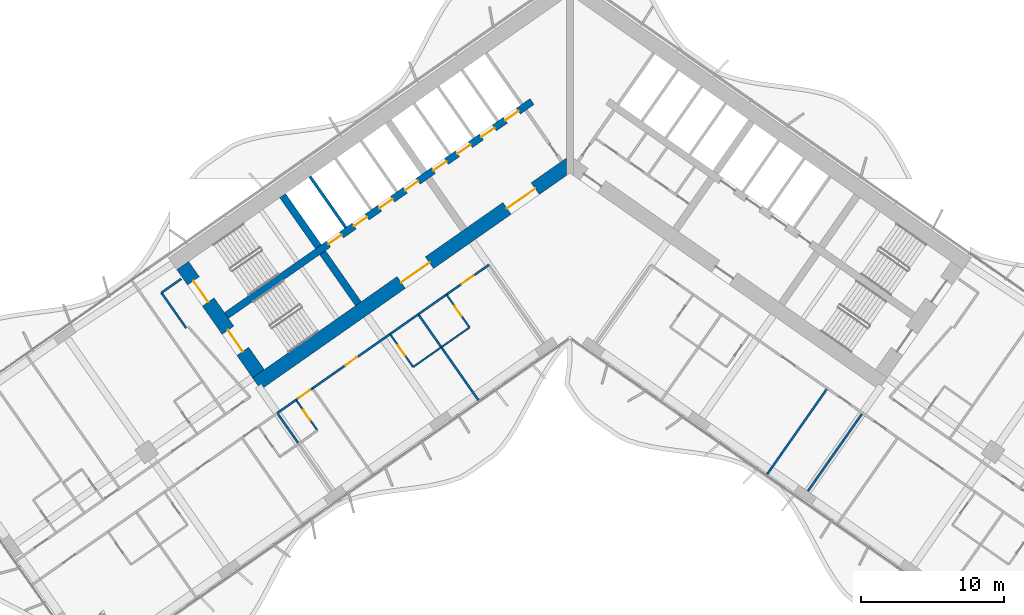
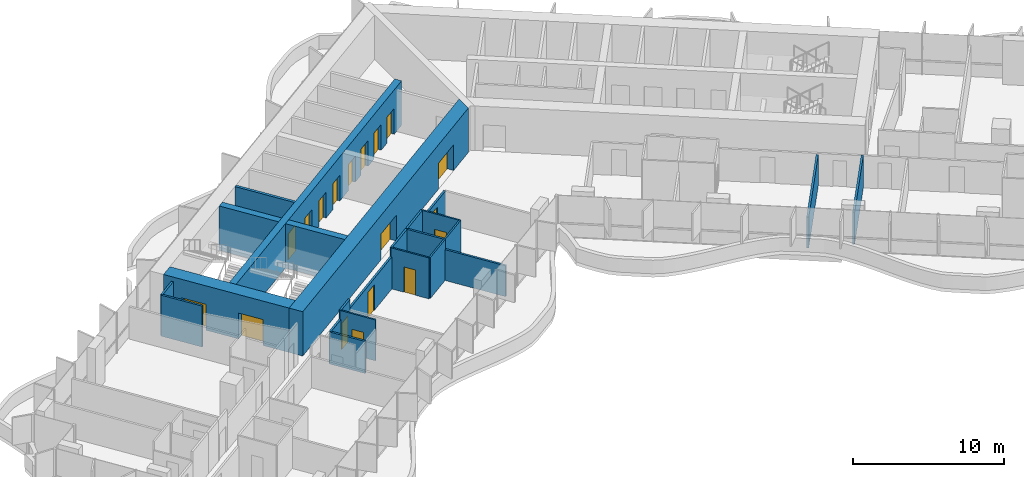
# One storey, part 13 of 23: 24 walls, 18 doors, 18 openings.
"""IFC4 building model written with IfcOpenShell, lengths in metres."""

from ifc_helpers import new_model, si_unit, direction, frame, frame_2d, origin, place, context, subcontext, project, spatial, polyline, rectangle, outline, extrude, material, layer, layer_set, type_object, element, fill, save


model = new_model("IFC4")

# Units and contexts
model_context = context("Model", 3, precision=1e-05, world=origin(), true_north=direction((0.0, 1.0)))
body_context = subcontext(model_context, "Body", "Model", "MODEL_VIEW")
ifc_project = project(units=[si_unit("LENGTHUNIT", "METRE"), si_unit("AREAUNIT", "SQUARE_METRE"), si_unit("VOLUMEUNIT", "CUBIC_METRE"), si_unit("PLANEANGLEUNIT", "RADIAN"), si_unit("MASSUNIT", "GRAM", prefix="KILO")], contexts=[model_context])

# Site, building, storey
site_placement = place(None, origin())
site = spatial("IfcSite", under=ifc_project, at=site_placement, CompositionType="ELEMENT")
building_placement = place(site_placement, origin())
building = spatial("IfcBuilding", under=site, at=building_placement, Name="Tel Ilan Convention Tower", CompositionType="ELEMENT")
storey_placement = place(building_placement, frame((0.0, 0.0, 86.89990234375)))
storey = spatial("IfcBuildingStorey", under=building, at=storey_placement, Name="L17", CompositionType="ELEMENT", Elevation=86.89990234375)

# Wall, openings, doors
ifc_material_1 = material(Name="Concrete C60/75", Category="concrete")
ifc_layer_1 = layer(ifc_material_1, 1.0)
ifc_layer_set_1 = layer_set([ifc_layer_1], Name="Core Shear Wall 1000 mm C60/75")
wall_type_1 = type_object("IfcWallType", Name="Core Shear Wall 1000 mm C60/75", PredefinedType="SHEAR", material=ifc_layer_set_1)
wall_1_placement = place(storey_placement, frame((0.036865234375, -0.584716796875, 0.0), z_axis=(0.0, 0.0, 1.0), x_axis=(-0.819157152511, -0.573569140985, 0.0)))
wall_1 = element("IfcWall", 1, at=wall_1_placement, inside=storey, type_object=wall_type_1, Name="L17 core wall W-front", PredefinedType="SHEAR", context=body_context, shape_type="SweptSolid", body=[
    extrude(outline(polyline([(26.69482421875, 0.500244140625), (0.7001953125, 0.499755859375), (0.0, -0.5), (26.69482421875, -0.499755859375), (26.69482421875, 0.500244140625)])), origin(), (0.0, 0.0, 1.0), 3.60009765625),
])
opening_1_placement = place(wall_1_placement, frame((2.994873046875, 0.0, 0.0)))
opening_1 = element("IfcOpeningElement", 2, at=opening_1_placement, cuts=wall_1, Name="Opening CD1505", PredefinedType="OPENING", context=body_context, shape_type="SweptSolid", body=[
    extrude(rectangle(XDim=2.39990234375, YDim=2.10009765625, at=frame_2d((1.199951171875, 1.050048828125))), frame((0.0, 0.510009765625, 0.0), z_axis=(0.0, -1.0, 0.0), x_axis=(1.0, 0.0, 0.0)), (0.0, 0.0, 1.0), 1.02001953125),
])
opening_2_placement = place(wall_1_placement, frame((11.994873046875, 0.0, 0.0)))
opening_2 = element("IfcOpeningElement", 3, at=opening_2_placement, cuts=wall_1, Name="Opening CD1506", PredefinedType="OPENING", context=body_context, shape_type="SweptSolid", body=[
    extrude(rectangle(XDim=2.39990234375, YDim=2.10009765625, at=frame_2d((1.199951171875, 1.050048828125))), frame((0.0, 0.510009765625, 0.0), z_axis=(0.0, -1.0, 0.0), x_axis=(1.0, 0.0, 0.0)), (0.0, 0.0, 1.0), 1.02001953125),
])
ifc_material_2 = material(Name="Glazed Aluminium Door Leaf", Category="aluminium")
door_type_1 = type_object("IfcDoorType", Name="Lobby Opening Door 2400 x 2100 FD60S", OperationType="NOTDEFINED", PredefinedType="DOOR", material=ifc_material_2)
door_1_placement = place(opening_1_placement, origin())
door_1 = element("IfcDoor", 4, at=door_1_placement, inside=storey, type_object=door_type_1, Name="Lift Lobby LR1-LR4 opening", OperationType="DOUBLE_DOOR_SINGLE_SWING", OverallHeight=2.10009765625, OverallWidth=2.39990234375, PredefinedType="DOOR", context=body_context, shape_type="SweptSolid", body=[
    extrude(rectangle(XDim=2.39990234375, YDim=2.10009765625, at=frame_2d((1.199951171875, 1.050048828125))), frame((0.0, 0.02490234375, 0.0), z_axis=(0.0, -1.0, 0.0), x_axis=(1.0, 0.0, 0.0)), (0.0, 0.0, 1.0), 0.050048828125),
])
fill(opening_1, door_1)
door_2_placement = place(opening_2_placement, origin())
door_2 = element("IfcDoor", 5, at=door_2_placement, inside=storey, type_object=door_type_1, Name="Lift Lobby LR5-LR8 opening", OperationType="DOUBLE_DOOR_SINGLE_SWING", OverallHeight=2.10009765625, OverallWidth=2.39990234375, PredefinedType="DOOR", context=body_context, shape_type="SweptSolid", body=[
    extrude(rectangle(XDim=2.39990234375, YDim=2.10009765625, at=frame_2d((1.199951171875, 1.050048828125))), frame((0.0, 0.02490234375, 0.0), z_axis=(0.0, -1.0, 0.0), x_axis=(1.0, 0.0, 0.0)), (0.0, 0.0, 1.0), 0.050048828125),
])
fill(opening_2, door_2)

wall_2_placement = place(storey_placement, frame((-21.70751953125, -15.19970703125, 0.0), z_axis=(0.0, 0.0, 1.0), x_axis=(-0.573576324356, 0.819152122709, 0.0)))
wall_2 = element("IfcWall", 6, at=wall_2_placement, inside=storey, type_object=wall_type_1, Name="L17 core wall W-end", PredefinedType="SHEAR", context=body_context, shape_type="SweptSolid", body=[
    extrude(outline(polyline([(0.0, 0.5), (0.0, -0.5), (9.199951171875, -0.5), (9.199951171875, 0.5), (0.0, 0.5)])), origin(), (0.0, 0.0, 1.0), 3.60009765625),
])
opening_3_placement = place(wall_2_placement, frame((6.10009765625, 0.0, 0.0)))
opening_3 = element("IfcOpeningElement", 7, at=opening_3_placement, cuts=wall_2, Name="Opening SD1501", PredefinedType="OPENING", context=body_context, shape_type="SweptSolid", body=[
    extrude(rectangle(XDim=1.800048828125, YDim=2.10009765625, at=frame_2d((0.89990234375, 1.050048828125))), frame((0.0, 0.510009765625, 0.0), z_axis=(0.0, -1.0, 0.0), x_axis=(1.0, 0.0, 0.0)), (0.0, 0.0, 1.0), 1.02001953125),
])
opening_4_placement = place(wall_2_placement, frame((1.89990234375, 0.0, 0.0)))
opening_4 = element("IfcOpeningElement", 8, at=opening_4_placement, cuts=wall_2, Name="Opening SD1502", PredefinedType="OPENING", context=body_context, shape_type="SweptSolid", body=[
    extrude(rectangle(XDim=1.800048828125, YDim=2.10009765625, at=frame_2d((0.89990234375, 1.050048828125))), frame((0.0, 0.510009765625, 0.0), z_axis=(0.0, -1.0, 0.0), x_axis=(1.0, 0.0, 0.0)), (0.0, 0.0, 1.0), 1.02001953125),
])
ifc_material_3 = material(Name="Galvanised Steel Door Leaf", Category="steel")
door_type_2 = type_object("IfcDoorType", Name="Stair Fire Door 1800 x 2100 FD60S", OperationType="NOTDEFINED", PredefinedType="DOOR", material=ifc_material_3)
door_3_placement = place(opening_3_placement, origin())
door_3 = element("IfcDoor", 9, at=door_3_placement, inside=storey, type_object=door_type_2, Name="Stair S1 door", OperationType="DOUBLE_DOOR_SINGLE_SWING", OverallHeight=2.10009765625, OverallWidth=1.800048828125, PredefinedType="DOOR", context=body_context, shape_type="SweptSolid", body=[
    extrude(rectangle(XDim=1.800048828125, YDim=2.10009765625, at=frame_2d((0.89990234375, 1.050048828125))), frame((0.0, 0.02490234375, 0.0), z_axis=(0.0, -1.0, 0.0), x_axis=(1.0, 0.0, 0.0)), (0.0, 0.0, 1.0), 0.050048828125),
])
fill(opening_3, door_3)
door_4_placement = place(opening_4_placement, origin())
door_4 = element("IfcDoor", 10, at=door_4_placement, inside=storey, type_object=door_type_2, Name="Stair S2 door", OperationType="DOUBLE_DOOR_SINGLE_SWING", OverallHeight=2.10009765625, OverallWidth=1.800048828125, PredefinedType="DOOR", context=body_context, shape_type="SweptSolid", body=[
    extrude(rectangle(XDim=1.800048828125, YDim=2.10009765625, at=frame_2d((0.89990234375, 1.050048828125))), frame((0.0, 0.02490234375, 0.0), z_axis=(0.0, -1.0, 0.0), x_axis=(1.0, 0.0, 0.0)), (0.0, 0.0, 1.0), 0.050048828125),
])
fill(opening_4, door_4)

# Walls
ifc_material_4 = material(Name="Concrete C60/75", Category="concrete")
ifc_layer_2 = layer(ifc_material_4, 0.5)
ifc_layer_set_2 = layer_set([ifc_layer_2], Name="Core Shear Wall 500 mm C60/75")
wall_type_2 = type_object("IfcWallType", Name="Core Shear Wall 500 mm C60/75", PredefinedType="SHEAR", material=ifc_layer_set_2)
wall_3_placement = place(storey_placement, frame((-14.74462890625, -10.324462890625, 0.0), z_axis=(0.0, 0.0, 1.0), x_axis=(-0.57356780395, 0.819158088694, 0.0)))
element("IfcWall", 11, at=wall_3_placement, inside=storey, type_object=wall_type_2, Name="L17 core wall W-cross2-1", PredefinedType="SHEAR", context=body_context, shape_type="SweptSolid", body=[
    extrude(outline(polyline([(4.35009765625, 0.250244140625), (0.0, 0.25), (0.0, -0.25), (4.35009765625, -0.25), (4.35009765625, 0.250244140625)])), origin(), (0.0, 0.0, 1.0), 3.60009765625),
])
wall_4_placement = place(storey_placement, frame((-17.526611328125, -6.3515625, 0.0), z_axis=(0.0, 0.0, 1.0), x_axis=(-0.573530143085, 0.819184457233, 0.0)))
element("IfcWall", 12, at=wall_4_placement, inside=storey, type_object=wall_type_2, Name="L17 core wall W-cross2-2", PredefinedType="SHEAR", context=body_context, shape_type="SweptSolid", body=[
    extrude(outline(polyline([(4.35009765625, -0.249755859375), (4.35009765625, 0.250244140625), (0.0, 0.25), (0.0, -0.25), (4.35009765625, -0.249755859375)])), origin(), (0.0, 0.0, 1.0), 3.60009765625),
])

# Wall, openings, doors
wall_5_placement = place(storey_placement, frame((-2.638427734375, 3.76806640625, 0.0), z_axis=(0.0, 0.0, 1.0), x_axis=(-0.819148977158, -0.573580816643, 0.0)))
wall_5 = element("IfcWall", 13, at=wall_5_placement, inside=storey, type_object=wall_type_2, Name="L17 core wall W-spine", PredefinedType="SHEAR", context=body_context, shape_type="SweptSolid", body=[
    extrude(outline(polyline([(26.0, 0.249755859375), (0.0, 0.25), (0.0, -0.25), (26.0, -0.250244140625), (26.0, 0.249755859375)])), origin(), (0.0, 0.0, 1.0), 3.60009765625),
])
opening_5_placement = place(wall_5_placement, frame((1.168701171875, 0.0, 0.0)))
opening_5 = element("IfcOpeningElement", 14, at=opening_5_placement, cuts=wall_5, Name="Opening LD1504", PredefinedType="OPENING", context=body_context, shape_type="SweptSolid", body=[
    extrude(rectangle(XDim=1.10009765625, YDim=2.10009765625, at=frame_2d((0.550048828125, 1.050048828125))), frame((0.0, 0.260009765625, 0.0), z_axis=(0.0, -1.0, 0.0), x_axis=(1.0, 0.0, 0.0)), (0.0, 0.0, 1.0), 0.52001953125),
])
opening_6_placement = place(wall_5_placement, frame((3.206298828125, 0.0, 0.0)))
opening_6 = element("IfcOpeningElement", 15, at=opening_6_placement, cuts=wall_5, Name="Opening LD1505", PredefinedType="OPENING", context=body_context, shape_type="SweptSolid", body=[
    extrude(rectangle(XDim=1.10009765625, YDim=2.10009765625, at=frame_2d((0.550048828125, 1.050048828125))), frame((0.0, 0.260009765625, 0.0), z_axis=(0.0, -1.0, 0.0), x_axis=(1.0, 0.0, 0.0)), (0.0, 0.0, 1.0), 0.52001953125),
])
opening_7_placement = place(wall_5_placement, frame((5.24365234375, 0.0, 0.0)))
opening_7 = element("IfcOpeningElement", 16, at=opening_7_placement, cuts=wall_5, Name="Opening LD1506", PredefinedType="OPENING", context=body_context, shape_type="SweptSolid", body=[
    extrude(rectangle(XDim=1.10009765625, YDim=2.10009765625, at=frame_2d((0.550048828125, 1.050048828125))), frame((0.0, 0.260009765625, 0.0), z_axis=(0.0, -1.0, 0.0), x_axis=(1.0, 0.0, 0.0)), (0.0, 0.0, 1.0), 0.52001953125),
])
opening_8_placement = place(wall_5_placement, frame((7.28125, 0.0, 0.0)))
opening_8 = element("IfcOpeningElement", 17, at=opening_8_placement, cuts=wall_5, Name="Opening LD1507", PredefinedType="OPENING", context=body_context, shape_type="SweptSolid", body=[
    extrude(rectangle(XDim=1.10009765625, YDim=2.10009765625, at=frame_2d((0.550048828125, 1.050048828125))), frame((0.0, 0.260009765625, 0.0), z_axis=(0.0, -1.0, 0.0), x_axis=(1.0, 0.0, 0.0)), (0.0, 0.0, 1.0), 0.52001953125),
])
opening_9_placement = place(wall_5_placement, frame((9.6875, 0.0, 0.0)))
opening_9 = element("IfcOpeningElement", 18, at=opening_9_placement, cuts=wall_5, Name="Opening LD1508", PredefinedType="OPENING", context=body_context, shape_type="SweptSolid", body=[
    extrude(rectangle(XDim=1.10009765625, YDim=2.10009765625, at=frame_2d((0.550048828125, 1.050048828125))), frame((0.0, 0.260009765625, 0.0), z_axis=(0.0, -1.0, 0.0), x_axis=(1.0, 0.0, 0.0)), (0.0, 0.0, 1.0), 0.52001953125),
])
opening_10_placement = place(wall_5_placement, frame((11.862548828125, 0.0, 0.0)))
opening_10 = element("IfcOpeningElement", 19, at=opening_10_placement, cuts=wall_5, Name="Opening LD1509", PredefinedType="OPENING", context=body_context, shape_type="SweptSolid", body=[
    extrude(rectangle(XDim=1.10009765625, YDim=2.10009765625, at=frame_2d((0.550048828125, 1.050048828125))), frame((0.0, 0.260009765625, 0.0), z_axis=(0.0, -1.0, 0.0), x_axis=(1.0, 0.0, 0.0)), (0.0, 0.0, 1.0), 0.52001953125),
])
opening_11_placement = place(wall_5_placement, frame((14.03759765625, 0.0, 0.0)))
opening_11 = element("IfcOpeningElement", 20, at=opening_11_placement, cuts=wall_5, Name="Opening LD1510", PredefinedType="OPENING", context=body_context, shape_type="SweptSolid", body=[
    extrude(rectangle(XDim=1.10009765625, YDim=2.10009765625, at=frame_2d((0.550048828125, 1.050048828125))), frame((0.0, 0.260009765625, 0.0), z_axis=(0.0, -1.0, 0.0), x_axis=(1.0, 0.0, 0.0)), (0.0, 0.0, 1.0), 0.52001953125),
])
opening_12_placement = place(wall_5_placement, frame((16.21240234375, 0.0, 0.0)))
opening_12 = element("IfcOpeningElement", 21, at=opening_12_placement, cuts=wall_5, Name="Opening LD1511", PredefinedType="OPENING", context=body_context, shape_type="SweptSolid", body=[
    extrude(rectangle(XDim=1.10009765625, YDim=2.10009765625, at=frame_2d((0.550048828125, 1.050048828125))), frame((0.0, 0.260009765625, 0.0), z_axis=(0.0, -1.0, 0.0), x_axis=(1.0, 0.0, 0.0)), (0.0, 0.0, 1.0), 0.52001953125),
])
ifc_material_5 = material(Name="Stainless Steel Sliding Door Leaf", Category="steel")
door_type_3 = type_object("IfcDoorType", Name="Lift Landing Door 1100 x 2100 FD120", OperationType="NOTDEFINED", PredefinedType="DOOR", material=ifc_material_5)
door_5_placement = place(opening_5_placement, origin())
door_5 = element("IfcDoor", 22, at=door_5_placement, inside=storey, type_object=door_type_3, Name="Lift LR1 landing door", OperationType="SLIDING_TO_LEFT", OverallHeight=2.10009765625, OverallWidth=1.10009765625, PredefinedType="DOOR", context=body_context, shape_type="SweptSolid", body=[
    extrude(rectangle(XDim=1.10009765625, YDim=2.10009765625, at=frame_2d((0.550048828125, 1.050048828125))), frame((0.0, 0.02490234375, 0.0), z_axis=(0.0, -1.0, 0.0), x_axis=(1.0, 0.0, 0.0)), (0.0, 0.0, 1.0), 0.050048828125),
])
fill(opening_5, door_5)
door_6_placement = place(opening_6_placement, origin())
door_6 = element("IfcDoor", 23, at=door_6_placement, inside=storey, type_object=door_type_3, Name="Lift LR2 landing door", OperationType="SLIDING_TO_RIGHT", OverallHeight=2.10009765625, OverallWidth=1.10009765625, PredefinedType="DOOR", context=body_context, shape_type="SweptSolid", body=[
    extrude(rectangle(XDim=1.10009765625, YDim=2.10009765625, at=frame_2d((0.550048828125, 1.050048828125))), frame((0.0, 0.02490234375, 0.0), z_axis=(0.0, -1.0, 0.0), x_axis=(1.0, 0.0, 0.0)), (0.0, 0.0, 1.0), 0.050048828125),
])
fill(opening_6, door_6)
door_7_placement = place(opening_7_placement, origin())
door_7 = element("IfcDoor", 24, at=door_7_placement, inside=storey, type_object=door_type_3, Name="Lift LR3 landing door", OperationType="SLIDING_TO_LEFT", OverallHeight=2.10009765625, OverallWidth=1.10009765625, PredefinedType="DOOR", context=body_context, shape_type="SweptSolid", body=[
    extrude(rectangle(XDim=1.10009765625, YDim=2.10009765625, at=frame_2d((0.550048828125, 1.050048828125))), frame((0.0, 0.02490234375, 0.0), z_axis=(0.0, -1.0, 0.0), x_axis=(1.0, 0.0, 0.0)), (0.0, 0.0, 1.0), 0.050048828125),
])
fill(opening_7, door_7)
door_8_placement = place(opening_8_placement, origin())
door_8 = element("IfcDoor", 25, at=door_8_placement, inside=storey, type_object=door_type_3, Name="Lift LR4 landing door", OperationType="SLIDING_TO_RIGHT", OverallHeight=2.10009765625, OverallWidth=1.10009765625, PredefinedType="DOOR", context=body_context, shape_type="SweptSolid", body=[
    extrude(rectangle(XDim=1.10009765625, YDim=2.10009765625, at=frame_2d((0.550048828125, 1.050048828125))), frame((0.0, 0.02490234375, 0.0), z_axis=(0.0, -1.0, 0.0), x_axis=(1.0, 0.0, 0.0)), (0.0, 0.0, 1.0), 0.050048828125),
])
fill(opening_8, door_8)
door_9_placement = place(opening_9_placement, origin())
door_9 = element("IfcDoor", 26, at=door_9_placement, inside=storey, type_object=door_type_3, Name="Lift LR5 landing door", OperationType="SLIDING_TO_LEFT", OverallHeight=2.10009765625, OverallWidth=1.10009765625, PredefinedType="DOOR", context=body_context, shape_type="SweptSolid", body=[
    extrude(rectangle(XDim=1.10009765625, YDim=2.10009765625, at=frame_2d((0.550048828125, 1.050048828125))), frame((0.0, 0.02490234375, 0.0), z_axis=(0.0, -1.0, 0.0), x_axis=(1.0, 0.0, 0.0)), (0.0, 0.0, 1.0), 0.050048828125),
])
fill(opening_9, door_9)
door_10_placement = place(opening_10_placement, origin())
door_10 = element("IfcDoor", 27, at=door_10_placement, inside=storey, type_object=door_type_3, Name="Lift LR6 landing door", OperationType="SLIDING_TO_RIGHT", OverallHeight=2.10009765625, OverallWidth=1.10009765625, PredefinedType="DOOR", context=body_context, shape_type="SweptSolid", body=[
    extrude(rectangle(XDim=1.10009765625, YDim=2.10009765625, at=frame_2d((0.550048828125, 1.050048828125))), frame((0.0, 0.02490234375, 0.0), z_axis=(0.0, -1.0, 0.0), x_axis=(1.0, 0.0, 0.0)), (0.0, 0.0, 1.0), 0.050048828125),
])
fill(opening_10, door_10)
door_11_placement = place(opening_11_placement, origin())
door_11 = element("IfcDoor", 28, at=door_11_placement, inside=storey, type_object=door_type_3, Name="Lift LR7 landing door", OperationType="SLIDING_TO_LEFT", OverallHeight=2.10009765625, OverallWidth=1.10009765625, PredefinedType="DOOR", context=body_context, shape_type="SweptSolid", body=[
    extrude(rectangle(XDim=1.10009765625, YDim=2.10009765625, at=frame_2d((0.550048828125, 1.050048828125))), frame((0.0, 0.02490234375, 0.0), z_axis=(0.0, -1.0, 0.0), x_axis=(1.0, 0.0, 0.0)), (0.0, 0.0, 1.0), 0.050048828125),
])
fill(opening_11, door_11)
door_12_placement = place(opening_12_placement, origin())
door_12 = element("IfcDoor", 29, at=door_12_placement, inside=storey, type_object=door_type_3, Name="Lift LR8 landing door", OperationType="SLIDING_TO_RIGHT", OverallHeight=2.10009765625, OverallWidth=1.10009765625, PredefinedType="DOOR", context=body_context, shape_type="SweptSolid", body=[
    extrude(rectangle(XDim=1.10009765625, YDim=2.10009765625, at=frame_2d((0.550048828125, 1.050048828125))), frame((0.0, 0.02490234375, 0.0), z_axis=(0.0, -1.0, 0.0), x_axis=(1.0, 0.0, 0.0)), (0.0, 0.0, 1.0), 0.050048828125),
])
fill(opening_12, door_12)

# Wall, opening, door
ifc_material_6 = material(Name="Plasterboard on Steel Studs", Category="steel")
ifc_layer_3 = layer(ifc_material_6, 0.14990234375)
ifc_layer_set_3 = layer_set([ifc_layer_3], Name="Fire-rated Partition 150 EI 60")
wall_type_3 = type_object("IfcWallType", Name="Fire-rated Partition 150 EI 60", PredefinedType="PARTITIONING", material=ifc_layer_set_3)
wall_6_placement = place(storey_placement, frame((-5.651611328125, -7.61962890625, 0.0), z_axis=(0.0, 0.0, 1.0), x_axis=(-0.819149096931, -0.573580645591, 0.0)))
wall_6 = element("IfcWall", 30, at=wall_6_placement, inside=storey, type_object=wall_type_3, Name="Partition 024", PredefinedType="PARTITIONING", context=body_context, shape_type="SweptSolid", body=[
    extrude(rectangle(XDim=3.600830078125, YDim=0.14990234375, at=frame_2d((1.80029296875, 0.0))), origin(), (0.0, 0.0, 1.0), 2.60009765625),
])
opening_13_placement = place(wall_6_placement, frame((1.300048828125, 0.0, 0.0)))
opening_13 = element("IfcOpeningElement", 31, at=opening_13_placement, cuts=wall_6, Name="Opening L15-002", PredefinedType="OPENING", context=body_context, shape_type="SweptSolid", body=[
    extrude(rectangle(XDim=1.0, YDim=2.10009765625, at=frame_2d((0.5, 1.050048828125))), frame((0.0, 0.0849609375, 0.0), z_axis=(0.0, -1.0, 0.0), x_axis=(1.0, 0.0, 0.0)), (0.0, 0.0, 1.0), 0.169921875),
])
ifc_material_7 = material(Name="Timber Door Leaf in Steel Frame", Category="steel")
door_type_4 = type_object("IfcDoorType", Name="Hotel Room Entrance Fire Door 1000x2100", OperationType="NOTDEFINED", PredefinedType="DOOR", material=ifc_material_7)
door_13_placement = place(opening_13_placement, origin())
door_13 = element("IfcDoor", 32, at=door_13_placement, inside=storey, type_object=door_type_4, Name="Door L15-002", OperationType="SINGLE_SWING_RIGHT", OverallHeight=2.10009765625, OverallWidth=1.0, PredefinedType="DOOR", context=body_context, shape_type="SweptSolid", body=[
    extrude(rectangle(XDim=1.0, YDim=2.10009765625, at=frame_2d((0.5, 1.050048828125))), frame((0.0, 0.02490234375, 0.0), z_axis=(0.0, -1.0, 0.0), x_axis=(1.0, 0.0, 0.0)), (0.0, 0.0, 1.0), 0.050048828125),
])
fill(opening_13, door_13)

# Wall
wall_7_placement = place(storey_placement, frame((-8.598876953125, -9.683349609375, 0.0), z_axis=(0.0, 0.0, 1.0), x_axis=(-0.819146032251, -0.573585022335, 0.0)))
element("IfcWall", 33, at=wall_7_placement, inside=storey, type_object=wall_type_3, Name="Partition 025", PredefinedType="PARTITIONING", context=body_context, shape_type="SweptSolid", body=[
    extrude(rectangle(XDim=2.404052734375, YDim=0.14990234375, at=frame_2d((1.2021484375, 0.0))), origin(), (0.0, 0.0, 1.0), 3.320068359375),
])

# Wall, opening, door
wall_8_placement = place(storey_placement, frame((-12.53173828125, -12.43701171875, 0.0), z_axis=(0.0, 0.0, 1.0), x_axis=(-0.819153746897, -0.573574004767, 0.0)))
wall_8 = element("IfcWall", 34, at=wall_8_placement, inside=storey, type_object=wall_type_3, Name="Partition 026", PredefinedType="PARTITIONING", context=body_context, shape_type="SweptSolid", body=[
    extrude(rectangle(XDim=6.60302734375, YDim=0.14990234375, at=frame_2d((3.301513671875, 0.0))), origin(), (0.0, 0.0, 1.0), 2.60009765625),
])
opening_14_placement = place(wall_8_placement, frame((2.801025390625, 0.0, 0.0)))
opening_14 = element("IfcOpeningElement", 35, at=opening_14_placement, cuts=wall_8, Name="Opening L15-004", PredefinedType="OPENING", context=body_context, shape_type="SweptSolid", body=[
    extrude(rectangle(XDim=1.0, YDim=2.10009765625, at=frame_2d((0.5, 1.050048828125))), frame((0.0, 0.0849609375, 0.0), z_axis=(0.0, -1.0, 0.0), x_axis=(1.0, 0.0, 0.0)), (0.0, 0.0, 1.0), 0.169921875),
])
door_14_placement = place(opening_14_placement, origin())
door_14 = element("IfcDoor", 36, at=door_14_placement, inside=storey, type_object=door_type_4, Name="Door L15-004", OperationType="SINGLE_SWING_LEFT", OverallHeight=2.10009765625, OverallWidth=1.0, PredefinedType="DOOR", context=body_context, shape_type="SweptSolid", body=[
    extrude(rectangle(XDim=1.0, YDim=2.10009765625, at=frame_2d((0.5, 1.050048828125))), frame((0.0, 0.02490234375, 0.0), z_axis=(0.0, -1.0, 0.0), x_axis=(1.0, 0.0, 0.0)), (0.0, 0.0, 1.0), 0.050048828125),
])
fill(opening_14, door_14)

# Wall
wall_9_placement = place(storey_placement, frame((-10.56494140625, -11.06005859375, 0.0), z_axis=(0.0, 0.0, 1.0), x_axis=(-0.819193748, -0.57351687267, 0.0)))
element("IfcWall", 37, at=wall_9_placement, inside=storey, type_object=wall_type_3, Name="Partition 027", PredefinedType="PARTITIONING", context=body_context, shape_type="SweptSolid", body=[
    extrude(rectangle(XDim=2.40380859375, YDim=0.14990234375, at=frame_2d((1.201904296875, 0.0))), origin(), (0.0, 0.0, 1.0), 3.320068359375),
])

# Wall, opening, door
wall_10_placement = place(storey_placement, frame((-17.937255859375, -16.22216796875, 0.0), z_axis=(0.0, 0.0, 1.0), x_axis=(-0.819199220913, -0.573509055252, 0.0)))
wall_10 = element("IfcWall", 38, at=wall_10_placement, inside=storey, type_object=wall_type_3, Name="Partition 028", PredefinedType="PARTITIONING", context=body_context, shape_type="SweptSolid", body=[
    extrude(rectangle(XDim=1.403076171875, YDim=0.14990234375, at=frame_2d((0.70166015625, 0.0))), origin(), (0.0, 0.0, 1.0), 3.320068359375),
])
opening_15_placement = place(wall_10_placement, frame((0.201904296875, 0.0, 0.0)))
opening_15 = element("IfcOpeningElement", 39, at=opening_15_placement, cuts=wall_10, Name="Opening L15-006", PredefinedType="OPENING", context=body_context, shape_type="SweptSolid", body=[
    extrude(rectangle(XDim=1.0, YDim=2.10009765625, at=frame_2d((0.5, 1.050048828125))), frame((0.0, 0.0849609375, 0.0), z_axis=(0.0, -1.0, 0.0), x_axis=(1.0, 0.0, 0.0)), (0.0, 0.0, 1.0), 0.169921875),
])
door_15_placement = place(opening_15_placement, origin())
door_15 = element("IfcDoor", 40, at=door_15_placement, inside=storey, type_object=door_type_4, Name="Door L15-006", OperationType="SINGLE_SWING_LEFT", OverallHeight=2.10009765625, OverallWidth=1.0, PredefinedType="DOOR", context=body_context, shape_type="SweptSolid", body=[
    extrude(rectangle(XDim=1.0, YDim=2.10009765625, at=frame_2d((0.5, 1.050048828125))), frame((0.0, 0.02490234375, 0.0), z_axis=(0.0, -1.0, 0.0), x_axis=(1.0, 0.0, 0.0)), (0.0, 0.0, 1.0), 0.050048828125),
])
fill(opening_15, door_15)

# Walls
wall_11_placement = place(storey_placement, frame((-19.083984375, -17.025146484375, 0.0), z_axis=(0.0, 0.0, 1.0), x_axis=(-0.819117502046, -0.573625764625, 0.0)))
element("IfcWall", 41, at=wall_11_placement, inside=storey, type_object=wall_type_3, Name="Partition 029", PredefinedType="PARTITIONING", context=body_context, shape_type="SweptSolid", body=[
    extrude(rectangle(XDim=1.60400390625, YDim=0.14990234375, at=frame_2d((0.802001953125, 0.0))), origin(), (0.0, 0.0, 1.0), 2.60009765625),
])
wall_12_placement = place(storey_placement, frame((17.93896484375, -16.223388671875, 0.0), z_axis=(0.0, 0.0, 1.0), x_axis=(-0.573594765376, -0.819139209862, 0.0)))
element("IfcWall", 42, at=wall_12_placement, inside=storey, type_object=wall_type_3, Name="Partition 055", PredefinedType="PARTITIONING", context=body_context, shape_type="SweptSolid", body=[
    extrude(rectangle(XDim=7.300048828125, YDim=0.14990234375, at=frame_2d((3.64990234375, 0.0))), origin(), (0.0, 0.0, 1.0), 2.5),
])
wall_13_placement = place(storey_placement, frame((20.396484375, -17.944091796875, 0.0), z_axis=(0.0, 0.0, 1.0), x_axis=(-0.57359826181, -0.819136761505, 0.0)))
element("IfcWall", 43, at=wall_13_placement, inside=storey, type_object=wall_type_3, Name="Partition 056", PredefinedType="PARTITIONING", context=body_context, shape_type="SweptSolid", body=[
    extrude(rectangle(XDim=6.630126953125, YDim=0.14990234375, at=frame_2d((3.31494140625, 0.0))), origin(), (0.0, 0.0, 1.0), 2.60009765625),
])
wall_14_placement = place(storey_placement, frame((-26.74609375, -12.013671875, 0.0), z_axis=(0.0, 0.0, 1.0), x_axis=(-0.573560650686, 0.819163097304, 0.0)))
element("IfcWall", 44, at=wall_14_placement, inside=storey, type_object=wall_type_3, Name="Partition 065", PredefinedType="PARTITIONING", context=body_context, shape_type="SweptSolid", body=[
    extrude(rectangle(XDim=3.0, YDim=0.14990234375, at=frame_2d((1.5, 0.0))), origin(), (0.0, 0.0, 1.0), 3.320068359375),
])
wall_15_placement = place(storey_placement, frame((-28.466796875, -9.55615234375, 0.0), z_axis=(0.0, 0.0, 1.0), x_axis=(0.819109000826, 0.573637903879, 0.0)))
element("IfcWall", 45, at=wall_15_placement, inside=storey, type_object=wall_type_3, Name="Partition 066", PredefinedType="PARTITIONING", context=body_context, shape_type="SweptSolid", body=[
    extrude(rectangle(XDim=1.679931640625, YDim=0.14990234375, at=frame_2d((0.83984375, 0.0))), origin(), (0.0, 0.0, 1.0), 3.320068359375),
])
wall_16_placement = place(storey_placement, frame((-6.37939453125, -17.041015625, 0.0), z_axis=(0.0, 0.0, 1.0), x_axis=(-0.573564311442, 0.819160534108, 0.0)))
element("IfcWall", 46, at=wall_16_placement, inside=storey, type_object=wall_type_3, Name="Partition 081", PredefinedType="PARTITIONING", context=body_context, shape_type="SweptSolid", body=[
    extrude(rectangle(XDim=4.499267578125, YDim=0.14990234375, at=frame_2d((2.24951171875, 0.0))), origin(), (0.0, 0.0, 1.0), 2.5),
])
wall_17_placement = place(storey_placement, frame((-8.96044921875, -13.354736328125, 0.0), z_axis=(0.0, 0.0, 1.0), x_axis=(-0.573608623498, 0.819129505664, 0.0)))
element("IfcWall", 47, at=wall_17_placement, inside=storey, type_object=wall_type_3, Name="Partition 082", PredefinedType="PARTITIONING", context=body_context, shape_type="SweptSolid", body=[
    extrude(rectangle(XDim=2.800048828125, YDim=0.14990234375, at=frame_2d((1.39990234375, 0.0))), origin(), (0.0, 0.0, 1.0), 3.320068359375),
])
wall_18_placement = place(storey_placement, frame((-18.905029296875, -20.07373046875, 0.0), z_axis=(0.0, 0.0, 1.0), x_axis=(-0.573645091666, 0.819103967032, 0.0)))
element("IfcWall", 48, at=wall_18_placement, inside=storey, type_object=wall_type_3, Name="Partition 089", PredefinedType="PARTITIONING", context=body_context, shape_type="SweptSolid", body=[
    extrude(rectangle(XDim=2.599853515625, YDim=0.14990234375, at=frame_2d((1.2998046875, 0.0))), origin(), (0.0, 0.0, 1.0), 2.60009765625),
])
ifc_material_8 = material(Name="Concrete C30/37", Category="concrete")
ifc_layer_4 = layer(ifc_material_8, 0.199951171875)
ifc_layer_set_4 = layer_set([ifc_layer_4], Name="Lift Shaft Wall 200 mm C30/37")
wall_type_4 = type_object("IfcWallType", Name="Lift Shaft Wall 200 mm C30/37", PredefinedType="SOLIDWALL", material=ifc_layer_set_4)
wall_19_placement = place(storey_placement, frame((-15.6220703125, -5.017822265625, 0.0), z_axis=(0.0, 0.0, 1.0), x_axis=(-0.573594173421, 0.819139624372, 0.0)))
element("IfcWall", 49, at=wall_19_placement, inside=storey, type_object=wall_type_4, Name="L17 core wall bank-W2-p2", PredefinedType="SOLIDWALL", context=body_context, shape_type="SweptSolid", body=[
    extrude(rectangle(XDim=4.349853515625, YDim=0.199951171875, at=frame_2d((2.1748046875, 0.0))), origin(), (0.0, 0.0, 1.0), 3.60009765625),
])
ifc_material_9 = material(Name="Plasterboard on Steel Studs", Category="steel")
ifc_layer_5 = layer(ifc_material_9, 0.1201171875)
ifc_layer_set_5 = layer_set([ifc_layer_5], Name="Moisture-resistant Partition 120")
wall_type_5 = type_object("IfcWallType", Name="Moisture-resistant Partition 120", PredefinedType="PARTITIONING", material=ifc_layer_set_5)
wall_20_placement = place(storey_placement, frame((-8.9599609375, -13.35546875, 0.0), z_axis=(0.0, 0.0, 1.0), x_axis=(0.819188907105, 0.573523787192, 0.0)))
element("IfcWall", 50, at=wall_20_placement, inside=storey, type_object=wall_type_5, Name="Partition 079", PredefinedType="PARTITIONING", context=body_context, shape_type="SweptSolid", body=[
    extrude(rectangle(XDim=2.39990234375, YDim=0.1201171875, at=frame_2d((1.199951171875, 0.0))), origin(), (0.0, 0.0, 1.0), 3.320068359375),
])

# Wall, opening, door
wall_21_placement = place(storey_placement, frame((-6.993896484375, -11.9775390625, 0.0), z_axis=(0.0, 0.0, 1.0), x_axis=(-0.573550118428, 0.819170471667, 0.0)))
wall_21 = element("IfcWall", 51, at=wall_21_placement, inside=storey, type_object=wall_type_5, Name="Partition 080", PredefinedType="PARTITIONING", context=body_context, shape_type="SweptSolid", body=[
    extrude(rectangle(XDim=2.800048828125, YDim=0.1201171875, at=frame_2d((1.39990234375, 0.0))), origin(), (0.0, 0.0, 1.0), 3.320068359375),
])
opening_16_placement = place(wall_21_placement, frame((0.97509765625, 0.0, 0.0)))
opening_16 = element("IfcOpeningElement", 52, at=opening_16_placement, cuts=wall_21, Name="Opening L15-001", PredefinedType="OPENING", context=body_context, shape_type="SweptSolid", body=[
    extrude(rectangle(XDim=0.85009765625, YDim=2.050048828125, at=frame_2d((0.425048828125, 1.02490234375))), frame((0.0, 0.070068359375, 0.0), z_axis=(0.0, -1.0, 0.0), x_axis=(1.0, 0.0, 0.0)), (0.0, 0.0, 1.0), 0.14013671875),
])
ifc_material_10 = material(Name="Timber Door Leaf in Steel Frame", Category="steel")
door_type_5 = type_object("IfcDoorType", Name="Bathroom Timber Door 850x2050", OperationType="NOTDEFINED", PredefinedType="DOOR", material=ifc_material_10)
door_16_placement = place(opening_16_placement, origin())
door_16 = element("IfcDoor", 53, at=door_16_placement, inside=storey, type_object=door_type_5, Name="Door L15-001", OperationType="SINGLE_SWING_LEFT", OverallHeight=2.050048828125, OverallWidth=0.85009765625, PredefinedType="DOOR", context=body_context, shape_type="SweptSolid", body=[
    extrude(rectangle(XDim=0.85009765625, YDim=2.050048828125, at=frame_2d((0.425048828125, 1.02490234375))), frame((0.0, 0.02490234375, 0.0), z_axis=(0.0, -1.0, 0.0), x_axis=(1.0, 0.0, 0.0)), (0.0, 0.0, 1.0), 0.050048828125),
])
fill(opening_16, door_16)

wall_22_placement = place(storey_placement, frame((-12.533203125, -12.438232421875, 0.0), z_axis=(0.0, 0.0, 1.0), x_axis=(0.573550118428, -0.819170471667, 0.0)))
wall_22 = element("IfcWall", 54, at=wall_22_placement, inside=storey, type_object=wall_type_5, Name="Partition 083", PredefinedType="PARTITIONING", context=body_context, shape_type="SweptSolid", body=[
    extrude(rectangle(XDim=2.800048828125, YDim=0.1201171875, at=frame_2d((1.39990234375, 0.0))), origin(), (0.0, 0.0, 1.0), 3.320068359375),
])
opening_17_placement = place(wall_22_placement, frame((0.97509765625, 0.0, 0.0)))
opening_17 = element("IfcOpeningElement", 55, at=opening_17_placement, cuts=wall_22, Name="Opening L15-003", PredefinedType="OPENING", context=body_context, shape_type="SweptSolid", body=[
    extrude(rectangle(XDim=0.85009765625, YDim=2.050048828125, at=frame_2d((0.425048828125, 1.02490234375))), frame((0.0, 0.070068359375, 0.0), z_axis=(0.0, -1.0, 0.0), x_axis=(1.0, 0.0, 0.0)), (0.0, 0.0, 1.0), 0.14013671875),
])
door_17_placement = place(opening_17_placement, origin())
door_17 = element("IfcDoor", 56, at=door_17_placement, inside=storey, type_object=door_type_5, Name="Door L15-003", OperationType="SINGLE_SWING_LEFT", OverallHeight=2.050048828125, OverallWidth=0.85009765625, PredefinedType="DOOR", context=body_context, shape_type="SweptSolid", body=[
    extrude(rectangle(XDim=0.85009765625, YDim=2.050048828125, at=frame_2d((0.425048828125, 1.02490234375))), frame((0.0, 0.02490234375, 0.0), z_axis=(0.0, -1.0, 0.0), x_axis=(1.0, 0.0, 0.0)), (0.0, 0.0, 1.0), 0.050048828125),
])
fill(opening_17, door_17)

# Wall
wall_23_placement = place(storey_placement, frame((-10.92578125, -14.732177734375, 0.0), z_axis=(0.0, 0.0, 1.0), x_axis=(0.819107643868, 0.573639841501, 0.0)))
element("IfcWall", 57, at=wall_23_placement, inside=storey, type_object=wall_type_5, Name="Partition 084", PredefinedType="PARTITIONING", context=body_context, shape_type="SweptSolid", body=[
    extrude(rectangle(XDim=2.39990234375, YDim=0.1201171875, at=frame_2d((1.199951171875, 0.0))), origin(), (0.0, 0.0, 1.0), 3.320068359375),
])

# Wall, opening, door
wall_24_placement = place(storey_placement, frame((-17.593505859375, -19.155517578125, 0.0), z_axis=(0.0, 0.0, 1.0), x_axis=(-0.573600972199, 0.819134863556, 0.0)))
wall_24 = element("IfcWall", 58, at=wall_24_placement, inside=storey, type_object=wall_type_5, Name="Partition 087", PredefinedType="PARTITIONING", context=body_context, shape_type="SweptSolid", body=[
    extrude(rectangle(XDim=2.60009765625, YDim=0.1201171875, at=frame_2d((1.300048828125, 0.0))), origin(), (0.0, 0.0, 1.0), 3.320068359375),
])
opening_18_placement = place(wall_24_placement, frame((0.875, 0.0, 0.0)))
opening_18 = element("IfcOpeningElement", 59, at=opening_18_placement, cuts=wall_24, Name="Opening L15-005", PredefinedType="OPENING", context=body_context, shape_type="SweptSolid", body=[
    extrude(rectangle(XDim=0.85009765625, YDim=2.050048828125, at=frame_2d((0.425048828125, 1.02490234375))), frame((0.0, 0.070068359375, 0.0), z_axis=(0.0, -1.0, 0.0), x_axis=(1.0, 0.0, 0.0)), (0.0, 0.0, 1.0), 0.14013671875),
])
door_18_placement = place(opening_18_placement, origin())
door_18 = element("IfcDoor", 60, at=door_18_placement, inside=storey, type_object=door_type_5, Name="Door L15-005", OperationType="SINGLE_SWING_RIGHT", OverallHeight=2.050048828125, OverallWidth=0.85009765625, PredefinedType="DOOR", context=body_context, shape_type="SweptSolid", body=[
    extrude(rectangle(XDim=0.85009765625, YDim=2.050048828125, at=frame_2d((0.425048828125, 1.02490234375))), frame((0.0, 0.02490234375, 0.0), z_axis=(0.0, -1.0, 0.0), x_axis=(1.0, 0.0, 0.0)), (0.0, 0.0, 1.0), 0.050048828125),
])
fill(opening_18, door_18)

save(model, "model.ifc")
